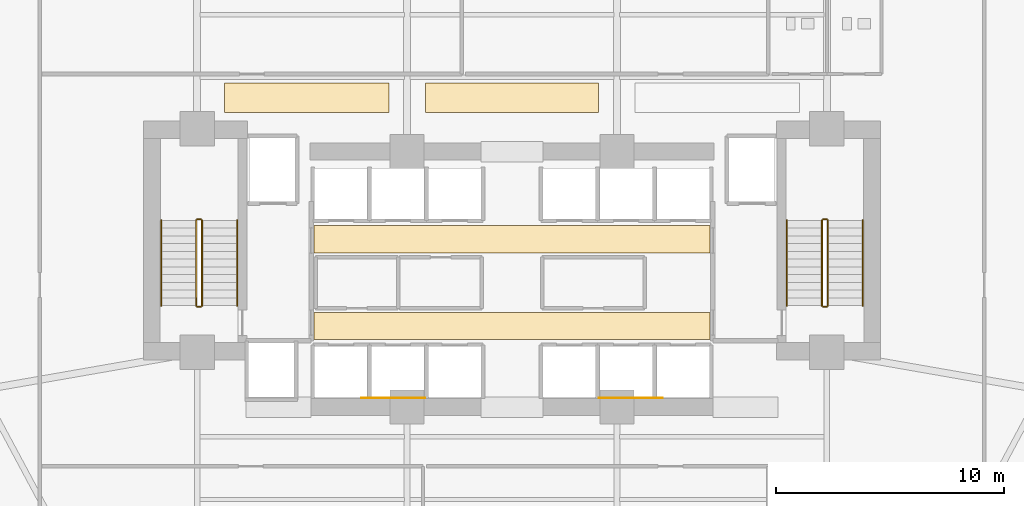
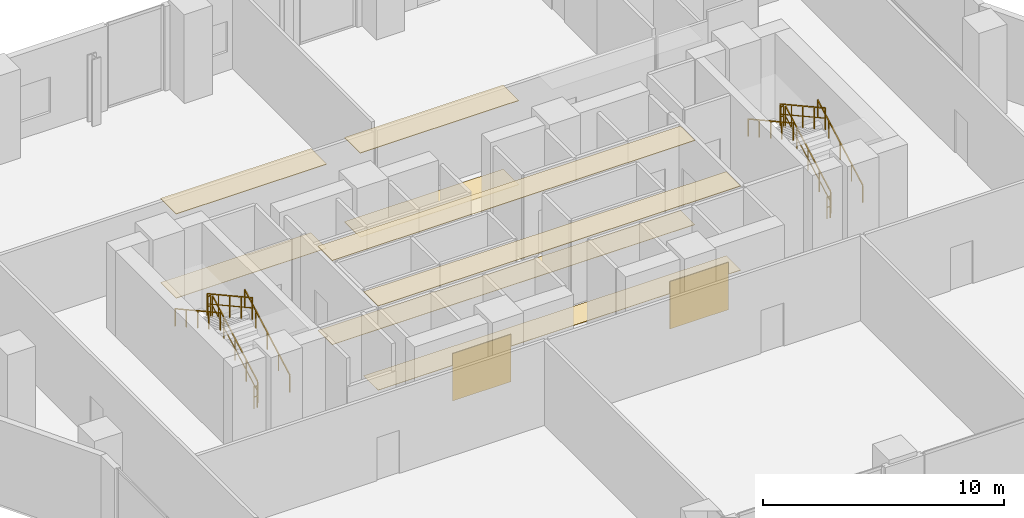
# One storey, part 31 of 33: 12 railings, 10 coverings.
"""IFC4 building model written with IfcOpenShell, lengths in metres."""

from ifc_helpers import new_model, si_unit, direction, frame, origin, origin_2d, place, context, subcontext, project, spatial, polyline, rectangle, outline, extrude, material, layer, layer_set, type_object, element, save


model = new_model("IFC4")

# Units and contexts
model_context = context("Model", 3, precision=1e-05, world=origin(), true_north=direction((0.0, 1.0)))
body_context = subcontext(model_context, "Body", "Model", "MODEL_VIEW")
ifc_project = project(units=[si_unit("LENGTHUNIT", "METRE"), si_unit("AREAUNIT", "SQUARE_METRE"), si_unit("VOLUMEUNIT", "CUBIC_METRE"), si_unit("PLANEANGLEUNIT", "RADIAN"), si_unit("MASSUNIT", "GRAM", prefix="KILO")], contexts=[model_context])

# Site, building, storey
site_placement = place(None, origin())
site = spatial("IfcSite", under=ifc_project, at=site_placement, CompositionType="ELEMENT")
building_placement = place(site_placement, origin())
building = spatial("IfcBuilding", under=site, at=building_placement, Name="Zuhayl Quay Hotel", CompositionType="ELEMENT")
storey_placement = place(building_placement, frame((0.0, 0.0, 154.050048828125)))
storey = spatial("IfcBuildingStorey", under=building, at=storey_placement, Name="L39", CompositionType="ELEMENT", Elevation=154.050048828125)

# Coverings
ifc_material_1 = material(Name="Acoustic Mineral-Fibre Gypsum Board")
ifc_layer_1 = layer(ifc_material_1, 0.02490234375, Name="Acoustic Mineral-Fibre Gypsum Board")
ifc_layer_set_1 = layer_set([ifc_layer_1], Name="Acoustic Mineral-Fibre Gypsum Board")
covering_type_1 = type_object("IfcCoveringType", Name="CV_CEIL_ACOUSTIC", PredefinedType="CEILING", material=ifc_layer_set_1)
covering_1_placement = place(storey_placement, frame((0.0, 0.0, 4.2548828125)))
element("IfcCovering", 1, at=covering_1_placement, inside=storey, type_object=covering_type_1, Name="L39 Suspended Acoustic Lobby Ceiling S", PredefinedType="CEILING", context=body_context, shape_type="SweptSolid", body=[
    extrude(outline(polyline([(-8.679931640625, 5.10009765625), (8.679931640625, 5.10009765625), (8.679931640625, 6.300048828125), (-8.679931640625, 6.300048828125), (-8.679931640625, 5.10009765625)])), origin(), (0.0, 0.0, 1.0), 0.025146484375),
])
covering_2_placement = place(storey_placement, frame((0.0, 0.0, 4.2548828125)))
element("IfcCovering", 2, at=covering_2_placement, inside=storey, type_object=covering_type_1, Name="L39 Suspended Acoustic Lobby Ceiling N", PredefinedType="CEILING", context=body_context, shape_type="SweptSolid", body=[
    extrude(outline(polyline([(-8.679931640625, 8.89990234375), (8.679931640625, 8.89990234375), (8.679931640625, 10.10009765625), (-8.679931640625, 10.10009765625), (-8.679931640625, 8.89990234375)])), origin(), (0.0, 0.0, 1.0), 0.025146484375),
])
covering_3_placement = place(storey_placement, frame((0.0, 0.0, 4.2548828125)))
element("IfcCovering", 3, at=covering_3_placement, inside=storey, type_object=covering_type_1, Name="L39 Guest Corridor Acoustic Ceiling CW", PredefinedType="CEILING", context=body_context, shape_type="SweptSolid", body=[
    extrude(outline(polyline([(-12.60009765625, 15.050048828125), (-5.39990234375, 15.050048828125), (-5.39990234375, 16.35009765625), (-12.60009765625, 16.35009765625), (-12.60009765625, 15.050048828125)])), origin(), (0.0, 0.0, 1.0), 0.025146484375),
])
covering_4_placement = place(storey_placement, frame((0.0, 0.0, 4.2548828125)))
element("IfcCovering", 4, at=covering_4_placement, inside=storey, type_object=covering_type_1, Name="L39 Guest Corridor Acoustic Ceiling CC", PredefinedType="CEILING", context=body_context, shape_type="SweptSolid", body=[
    extrude(outline(polyline([(-3.800048828125, 15.050048828125), (3.800048828125, 15.050048828125), (3.800048828125, 16.35009765625), (-3.800048828125, 16.35009765625), (-3.800048828125, 15.050048828125)])), origin(), (0.0, 0.0, 1.0), 0.025146484375),
])
ifc_material_2 = material(Name="Polished Limestone Terrazzo", Category="masonry")
ifc_layer_2 = layer(ifc_material_2, 0.02001953125, Name="Polished Limestone Terrazzo", Category="masonry")
ifc_layer_set_2 = layer_set([ifc_layer_2], Name="Polished Limestone Terrazzo")
covering_type_2 = type_object("IfcCoveringType", Name="CV_FLOOR_TERRAZZO", PredefinedType="FLOORING", material=ifc_layer_set_2)
covering_5_placement = place(storey_placement, origin())
element("IfcCovering", 5, at=covering_5_placement, inside=storey, type_object=covering_type_2, Name="L39 Honed Limestone Terrazzo Lobby Flooring S", PredefinedType="FLOORING", context=body_context, shape_type="SweptSolid", body=[
    extrude(outline(polyline([(-8.679931640625, 5.10009765625), (8.679931640625, 5.10009765625), (8.679931640625, 6.300048828125), (-8.679931640625, 6.300048828125), (-8.679931640625, 5.10009765625)])), origin(), (0.0, 0.0, 1.0), 0.02001953125),
])
covering_6_placement = place(storey_placement, origin())
element("IfcCovering", 6, at=covering_6_placement, inside=storey, type_object=covering_type_2, Name="L39 Honed Limestone Terrazzo Lobby Flooring N", PredefinedType="FLOORING", context=body_context, shape_type="SweptSolid", body=[
    extrude(outline(polyline([(-8.679931640625, 8.89990234375), (8.679931640625, 8.89990234375), (8.679931640625, 10.10009765625), (-8.679931640625, 10.10009765625), (-8.679931640625, 8.89990234375)])), origin(), (0.0, 0.0, 1.0), 0.02001953125),
])
covering_7_placement = place(storey_placement, origin())
element("IfcCovering", 7, at=covering_7_placement, inside=storey, type_object=covering_type_2, Name="L39 Guest Corridor Terrazzo Runner CW", PredefinedType="FLOORING", context=body_context, shape_type="SweptSolid", body=[
    extrude(outline(polyline([(-12.60009765625, 15.050048828125), (-5.39990234375, 15.050048828125), (-5.39990234375, 16.35009765625), (-12.60009765625, 16.35009765625), (-12.60009765625, 15.050048828125)])), origin(), (0.0, 0.0, 1.0), 0.02001953125),
])
covering_8_placement = place(storey_placement, origin())
element("IfcCovering", 8, at=covering_8_placement, inside=storey, type_object=covering_type_2, Name="L39 Guest Corridor Terrazzo Runner CC", PredefinedType="FLOORING", context=body_context, shape_type="SweptSolid", body=[
    extrude(outline(polyline([(-3.800048828125, 15.050048828125), (3.800048828125, 15.050048828125), (3.800048828125, 16.35009765625), (-3.800048828125, 16.35009765625), (-3.800048828125, 15.050048828125)])), origin(), (0.0, 0.0, 1.0), 0.02001953125),
])
ifc_material_3 = material(Name="Acoustic Walnut Feature Timber", Category="wood")
ifc_layer_3 = layer(ifc_material_3, 0.02197265625, Name="Acoustic Walnut Feature Timber", Category="wood")
ifc_layer_set_3 = layer_set([ifc_layer_3], Name="Acoustic Walnut Feature Timber")
covering_type_3 = type_object("IfcCoveringType", Name="CV_WALL_CLAD", PredefinedType="CLADDING", material=ifc_layer_set_3)
for number, where, z_axis, x_axis, name in (
    (9, (-5.199951171875, 2.535888671875, 0.300048828125), (0.0, 0.0, 1.0), (1.0, 0.0, 0.0), "L39 Feature Lobby Walnut Wall Cladding W"),
    (10, (5.199951171875, 2.535888671875, 0.300048828125), (0.0, 0.0, 1.0), (1.0, 0.0, 0.0), "L39 Feature Lobby Walnut Wall Cladding E"),
):
    element("IfcCovering", number, at=place(storey_placement, frame(where, z_axis=z_axis, x_axis=x_axis)), inside=storey, type_object=covering_type_3, Name=name, PredefinedType="CLADDING", context=body_context, shape_type="SweptSolid", body=[
        extrude(rectangle(XDim=2.800048828125, YDim=0.02197265625, at=origin_2d()), origin(), (0.0, 0.0, 1.0), 2.39990234375),
    ])

# Railings
ifc_material_4 = material(Name="Steel ASTM A992 Grade 50", Category="steel")
railing_type_1 = type_object("IfcRailingType", Name="RL_GUARD_1100", PredefinedType="GUARDRAIL", material=ifc_material_4)
railing_1_placement = place(storey_placement, frame((-13.590087890625, 6.590087890625, 0.1875)))
element("IfcRailing", 11, at=railing_1_placement, inside=storey, type_object=railing_type_1, Name="L39 ST1 stair guard 1", PredefinedType="GUARDRAIL", context=body_context, shape_type="SweptSolid", body=[
    extrude(rectangle(XDim=0.048095703125, YDim=0.048095703125, at=origin_2d()), frame((0.0, 0.0, 1.09619140625), z_axis=(0.0, 0.875671045107, 0.482908087281), x_axis=(-1.0, 0.0, 0.0)), (0.0, 0.0, 1.0), 4.27099609375),
    extrude(rectangle(XDim=0.0361328125, YDim=0.0361328125, at=origin_2d()), frame((0.0, 0.0, 0.58251953125), z_axis=(0.0, 0.875671045107, 0.482908087281), x_axis=(-1.0, 0.0, 0.0)), (0.0, 0.0, 1.0), 4.27099609375),
    extrude(rectangle(XDim=0.0419921875, YDim=0.0419921875, at=origin_2d()), origin(), (0.0, 0.0, 1.0), 1.072021484375),
    extrude(rectangle(XDim=0.0419921875, YDim=0.0419921875, at=origin_2d()), frame((0.0, 0.93505859375, 0.515625)), (0.0, 0.0, 1.0), 1.072021484375),
    extrude(rectangle(XDim=0.0419921875, YDim=0.0419921875, at=origin_2d()), frame((0.0, 1.8701171875, 1.03125)), (0.0, 0.0, 1.0), 1.072021484375),
    extrude(rectangle(XDim=0.0419921875, YDim=0.0419921875, at=origin_2d()), frame((0.0, 2.804931640625, 1.546875)), (0.0, 0.0, 1.0), 1.072021484375),
    extrude(rectangle(XDim=0.0419921875, YDim=0.0419921875, at=origin_2d()), frame((0.0, 3.739990234375, 2.0625)), (0.0, 0.0, 1.0), 1.072021484375),
])
railing_2_placement = place(storey_placement, frame((-13.639892578125, 10.3798828125, 2.25)))
element("IfcRailing", 12, at=railing_2_placement, inside=storey, type_object=railing_type_1, Name="L39 ST1 stair guard 2", PredefinedType="GUARDRAIL", context=body_context, shape_type="SweptSolid", body=[
    extrude(rectangle(XDim=0.048095703125, YDim=0.048095703125, at=origin_2d()), frame((0.0, 0.0, 1.09619140625), z_axis=(-1.0, 0.0, 0.0), x_axis=(0.0, -1.0, 0.0)), (0.0, 0.0, 1.0), 0.150146484375),
    extrude(rectangle(XDim=0.0361328125, YDim=0.0361328125, at=origin_2d()), frame((0.0, 0.0, 0.58251953125), z_axis=(-1.0, 0.0, 0.0), x_axis=(0.0, -1.0, 0.0)), (0.0, 0.0, 1.0), 0.150146484375),
    extrude(rectangle(XDim=0.0419921875, YDim=0.0419921875, at=origin_2d()), origin(), (0.0, 0.0, 1.0), 1.072021484375),
    extrude(rectangle(XDim=0.0419921875, YDim=0.0419921875, at=origin_2d()), frame((-0.150146484375, 0.0, 0.0)), (0.0, 0.0, 1.0), 1.072021484375),
])
railing_3_placement = place(storey_placement, frame((-13.840087890625, 10.330078125, 2.4375)))
element("IfcRailing", 13, at=railing_3_placement, inside=storey, type_object=railing_type_1, Name="L39 ST1 stair guard 3", PredefinedType="GUARDRAIL", context=body_context, shape_type="SweptSolid", body=[
    extrude(rectangle(XDim=0.048095703125, YDim=0.048095703125, at=origin_2d()), frame((0.0, 0.0, 1.09619140625), z_axis=(0.0, -0.875671045107, 0.482908087281), x_axis=(1.0, 0.0, 0.0)), (0.0, 0.0, 1.0), 4.27099609375),
    extrude(rectangle(XDim=0.0361328125, YDim=0.0361328125, at=origin_2d()), frame((0.0, 0.0, 0.58251953125), z_axis=(0.0, -0.875671045107, 0.482908087281), x_axis=(1.0, 0.0, 0.0)), (0.0, 0.0, 1.0), 4.27099609375),
    extrude(rectangle(XDim=0.0419921875, YDim=0.0419921875, at=origin_2d()), origin(), (0.0, 0.0, 1.0), 1.072021484375),
    extrude(rectangle(XDim=0.0419921875, YDim=0.0419921875, at=origin_2d()), frame((0.0, -0.93505859375, 0.515625)), (0.0, 0.0, 1.0), 1.072021484375),
    extrude(rectangle(XDim=0.0419921875, YDim=0.0419921875, at=origin_2d()), frame((0.0, -1.8701171875, 1.03125)), (0.0, 0.0, 1.0), 1.072021484375),
    extrude(rectangle(XDim=0.0419921875, YDim=0.0419921875, at=origin_2d()), frame((0.0, -2.804931640625, 1.546875)), (0.0, 0.0, 1.0), 1.072021484375),
    extrude(rectangle(XDim=0.0419921875, YDim=0.0419921875, at=origin_2d()), frame((0.0, -3.739990234375, 2.0625)), (0.0, 0.0, 1.0), 1.072021484375),
])
railing_4_placement = place(storey_placement, frame((-13.639892578125, 6.5400390625, 0.0)))
element("IfcRailing", 14, at=railing_4_placement, inside=storey, type_object=railing_type_1, Name="L39 ST1 stair guard 4", PredefinedType="GUARDRAIL", context=body_context, shape_type="SweptSolid", body=[
    extrude(rectangle(XDim=0.048095703125, YDim=0.048095703125, at=origin_2d()), frame((0.0, 0.0, 1.09619140625), z_axis=(-1.0, 0.0, 0.0), x_axis=(0.0, -1.0, 0.0)), (0.0, 0.0, 1.0), 0.150146484375),
    extrude(rectangle(XDim=0.0361328125, YDim=0.0361328125, at=origin_2d()), frame((0.0, 0.0, 0.58251953125), z_axis=(-1.0, 0.0, 0.0), x_axis=(0.0, -1.0, 0.0)), (0.0, 0.0, 1.0), 0.150146484375),
    extrude(rectangle(XDim=0.0419921875, YDim=0.0419921875, at=origin_2d()), origin(), (0.0, 0.0, 1.0), 1.072021484375),
    extrude(rectangle(XDim=0.0419921875, YDim=0.0419921875, at=origin_2d()), frame((-0.150146484375, 0.0, 0.0)), (0.0, 0.0, 1.0), 1.072021484375),
])
railing_5_placement = place(storey_placement, frame((13.840087890625, 6.590087890625, 0.1875)))
element("IfcRailing", 15, at=railing_5_placement, inside=storey, type_object=railing_type_1, Name="L39 ST2 stair guard 1", PredefinedType="GUARDRAIL", context=body_context, shape_type="SweptSolid", body=[
    extrude(rectangle(XDim=0.048095703125, YDim=0.048095703125, at=origin_2d()), frame((0.0, 0.0, 1.09619140625), z_axis=(0.0, 0.875671045107, 0.482908087281), x_axis=(-1.0, 0.0, 0.0)), (0.0, 0.0, 1.0), 4.27099609375),
    extrude(rectangle(XDim=0.0361328125, YDim=0.0361328125, at=origin_2d()), frame((0.0, 0.0, 0.58251953125), z_axis=(0.0, 0.875671045107, 0.482908087281), x_axis=(-1.0, 0.0, 0.0)), (0.0, 0.0, 1.0), 4.27099609375),
    extrude(rectangle(XDim=0.0419921875, YDim=0.0419921875, at=origin_2d()), origin(), (0.0, 0.0, 1.0), 1.072021484375),
    extrude(rectangle(XDim=0.0419921875, YDim=0.0419921875, at=origin_2d()), frame((0.0, 0.93505859375, 0.515625)), (0.0, 0.0, 1.0), 1.072021484375),
    extrude(rectangle(XDim=0.0419921875, YDim=0.0419921875, at=origin_2d()), frame((0.0, 1.8701171875, 1.03125)), (0.0, 0.0, 1.0), 1.072021484375),
    extrude(rectangle(XDim=0.0419921875, YDim=0.0419921875, at=origin_2d()), frame((0.0, 2.804931640625, 1.546875)), (0.0, 0.0, 1.0), 1.072021484375),
    extrude(rectangle(XDim=0.0419921875, YDim=0.0419921875, at=origin_2d()), frame((0.0, 3.739990234375, 2.0625)), (0.0, 0.0, 1.0), 1.072021484375),
])
railing_6_placement = place(storey_placement, frame((13.7900390625, 10.3798828125, 2.25)))
element("IfcRailing", 16, at=railing_6_placement, inside=storey, type_object=railing_type_1, Name="L39 ST2 stair guard 2", PredefinedType="GUARDRAIL", context=body_context, shape_type="SweptSolid", body=[
    extrude(rectangle(XDim=0.048095703125, YDim=0.048095703125, at=origin_2d()), frame((0.0, 0.0, 1.09619140625), z_axis=(-1.0, 0.0, 0.0), x_axis=(0.0, -1.0, 0.0)), (0.0, 0.0, 1.0), 0.150146484375),
    extrude(rectangle(XDim=0.0361328125, YDim=0.0361328125, at=origin_2d()), frame((0.0, 0.0, 0.58251953125), z_axis=(-1.0, 0.0, 0.0), x_axis=(0.0, -1.0, 0.0)), (0.0, 0.0, 1.0), 0.150146484375),
    extrude(rectangle(XDim=0.0419921875, YDim=0.0419921875, at=origin_2d()), origin(), (0.0, 0.0, 1.0), 1.072021484375),
    extrude(rectangle(XDim=0.0419921875, YDim=0.0419921875, at=origin_2d()), frame((-0.150146484375, 0.0, 0.0)), (0.0, 0.0, 1.0), 1.072021484375),
])
railing_7_placement = place(storey_placement, frame((13.590087890625, 10.330078125, 2.4375)))
element("IfcRailing", 17, at=railing_7_placement, inside=storey, type_object=railing_type_1, Name="L39 ST2 stair guard 3", PredefinedType="GUARDRAIL", context=body_context, shape_type="SweptSolid", body=[
    extrude(rectangle(XDim=0.048095703125, YDim=0.048095703125, at=origin_2d()), frame((0.0, 0.0, 1.09619140625), z_axis=(0.0, -0.875671045107, 0.482908087281), x_axis=(1.0, 0.0, 0.0)), (0.0, 0.0, 1.0), 4.27099609375),
    extrude(rectangle(XDim=0.0361328125, YDim=0.0361328125, at=origin_2d()), frame((0.0, 0.0, 0.58251953125), z_axis=(0.0, -0.875671045107, 0.482908087281), x_axis=(1.0, 0.0, 0.0)), (0.0, 0.0, 1.0), 4.27099609375),
    extrude(rectangle(XDim=0.0419921875, YDim=0.0419921875, at=origin_2d()), origin(), (0.0, 0.0, 1.0), 1.072021484375),
    extrude(rectangle(XDim=0.0419921875, YDim=0.0419921875, at=origin_2d()), frame((0.0, -0.93505859375, 0.515625)), (0.0, 0.0, 1.0), 1.072021484375),
    extrude(rectangle(XDim=0.0419921875, YDim=0.0419921875, at=origin_2d()), frame((0.0, -1.8701171875, 1.03125)), (0.0, 0.0, 1.0), 1.072021484375),
    extrude(rectangle(XDim=0.0419921875, YDim=0.0419921875, at=origin_2d()), frame((0.0, -2.804931640625, 1.546875)), (0.0, 0.0, 1.0), 1.072021484375),
    extrude(rectangle(XDim=0.0419921875, YDim=0.0419921875, at=origin_2d()), frame((0.0, -3.739990234375, 2.0625)), (0.0, 0.0, 1.0), 1.072021484375),
])
railing_8_placement = place(storey_placement, frame((13.7900390625, 6.5400390625, 0.0)))
element("IfcRailing", 18, at=railing_8_placement, inside=storey, type_object=railing_type_1, Name="L39 ST2 stair guard 4", PredefinedType="GUARDRAIL", context=body_context, shape_type="SweptSolid", body=[
    extrude(rectangle(XDim=0.048095703125, YDim=0.048095703125, at=origin_2d()), frame((0.0, 0.0, 1.09619140625), z_axis=(-1.0, 0.0, 0.0), x_axis=(0.0, -1.0, 0.0)), (0.0, 0.0, 1.0), 0.150146484375),
    extrude(rectangle(XDim=0.0361328125, YDim=0.0361328125, at=origin_2d()), frame((0.0, 0.0, 0.58251953125), z_axis=(-1.0, 0.0, 0.0), x_axis=(0.0, -1.0, 0.0)), (0.0, 0.0, 1.0), 0.150146484375),
    extrude(rectangle(XDim=0.0419921875, YDim=0.0419921875, at=origin_2d()), origin(), (0.0, 0.0, 1.0), 1.072021484375),
    extrude(rectangle(XDim=0.0419921875, YDim=0.0419921875, at=origin_2d()), frame((-0.150146484375, 0.0, 0.0)), (0.0, 0.0, 1.0), 1.072021484375),
])
railing_type_2 = type_object("IfcRailingType", Name="RL_HANDRAIL_920", PredefinedType="HANDRAIL", material=ifc_material_4)
railing_9_placement = place(storey_placement, frame((-12.050048828125, 6.590087890625, 0.1875)))
element("IfcRailing", 19, at=railing_9_placement, inside=storey, type_object=railing_type_2, Name="L39 ST1 stair handrail 1", PredefinedType="HANDRAIL", context=body_context, shape_type="SweptSolid", body=[
    extrude(rectangle(XDim=0.048095703125, YDim=0.048095703125, at=origin_2d()), frame((0.0, 0.0, 0.8759765625), z_axis=(0.0, 0.875671045107, 0.482908087281), x_axis=(-1.0, 0.0, 0.0)), (0.0, 0.0, 1.0), 4.27099609375),
    extrude(rectangle(XDim=0.0419921875, YDim=0.0419921875, at=origin_2d()), origin(), (0.0, 0.0, 1.0), 0.851806640625),
    extrude(rectangle(XDim=0.0419921875, YDim=0.0419921875, at=origin_2d()), frame((0.0, 0.93505859375, 0.515625)), (0.0, 0.0, 1.0), 0.851806640625),
    extrude(rectangle(XDim=0.0419921875, YDim=0.0419921875, at=origin_2d()), frame((0.0, 1.8701171875, 1.03125)), (0.0, 0.0, 1.0), 0.851806640625),
    extrude(rectangle(XDim=0.0419921875, YDim=0.0419921875, at=origin_2d()), frame((0.0, 2.804931640625, 1.546875)), (0.0, 0.0, 1.0), 0.851806640625),
    extrude(rectangle(XDim=0.0419921875, YDim=0.0419921875, at=origin_2d()), frame((0.0, 3.739990234375, 2.0625)), (0.0, 0.0, 1.0), 0.851806640625),
])
railing_10_placement = place(storey_placement, frame((-15.3798828125, 10.330078125, 2.4375)))
element("IfcRailing", 20, at=railing_10_placement, inside=storey, type_object=railing_type_2, Name="L39 ST1 stair handrail 2", PredefinedType="HANDRAIL", context=body_context, shape_type="SweptSolid", body=[
    extrude(rectangle(XDim=0.048095703125, YDim=0.048095703125, at=origin_2d()), frame((0.0, 0.0, 0.8759765625), z_axis=(0.0, -0.875671045107, 0.482908087281), x_axis=(1.0, 0.0, 0.0)), (0.0, 0.0, 1.0), 4.27099609375),
    extrude(rectangle(XDim=0.0419921875, YDim=0.0419921875, at=origin_2d()), origin(), (0.0, 0.0, 1.0), 0.851806640625),
    extrude(rectangle(XDim=0.0419921875, YDim=0.0419921875, at=origin_2d()), frame((0.0, -0.93505859375, 0.515625)), (0.0, 0.0, 1.0), 0.851806640625),
    extrude(rectangle(XDim=0.0419921875, YDim=0.0419921875, at=origin_2d()), frame((0.0, -1.8701171875, 1.03125)), (0.0, 0.0, 1.0), 0.851806640625),
    extrude(rectangle(XDim=0.0419921875, YDim=0.0419921875, at=origin_2d()), frame((0.0, -2.804931640625, 1.546875)), (0.0, 0.0, 1.0), 0.851806640625),
    extrude(rectangle(XDim=0.0419921875, YDim=0.0419921875, at=origin_2d()), frame((0.0, -3.739990234375, 2.0625)), (0.0, 0.0, 1.0), 0.851806640625),
])
railing_11_placement = place(storey_placement, frame((15.3798828125, 6.590087890625, 0.1875)))
element("IfcRailing", 21, at=railing_11_placement, inside=storey, type_object=railing_type_2, Name="L39 ST2 stair handrail 1", PredefinedType="HANDRAIL", context=body_context, shape_type="SweptSolid", body=[
    extrude(rectangle(XDim=0.048095703125, YDim=0.048095703125, at=origin_2d()), frame((0.0, 0.0, 0.8759765625), z_axis=(0.0, 0.875671045107, 0.482908087281), x_axis=(-1.0, 0.0, 0.0)), (0.0, 0.0, 1.0), 4.27099609375),
    extrude(rectangle(XDim=0.0419921875, YDim=0.0419921875, at=origin_2d()), origin(), (0.0, 0.0, 1.0), 0.851806640625),
    extrude(rectangle(XDim=0.0419921875, YDim=0.0419921875, at=origin_2d()), frame((0.0, 0.93505859375, 0.515625)), (0.0, 0.0, 1.0), 0.851806640625),
    extrude(rectangle(XDim=0.0419921875, YDim=0.0419921875, at=origin_2d()), frame((0.0, 1.8701171875, 1.03125)), (0.0, 0.0, 1.0), 0.851806640625),
    extrude(rectangle(XDim=0.0419921875, YDim=0.0419921875, at=origin_2d()), frame((0.0, 2.804931640625, 1.546875)), (0.0, 0.0, 1.0), 0.851806640625),
    extrude(rectangle(XDim=0.0419921875, YDim=0.0419921875, at=origin_2d()), frame((0.0, 3.739990234375, 2.0625)), (0.0, 0.0, 1.0), 0.851806640625),
])
railing_12_placement = place(storey_placement, frame((12.050048828125, 10.330078125, 2.4375)))
element("IfcRailing", 22, at=railing_12_placement, inside=storey, type_object=railing_type_2, Name="L39 ST2 stair handrail 2", PredefinedType="HANDRAIL", context=body_context, shape_type="SweptSolid", body=[
    extrude(rectangle(XDim=0.048095703125, YDim=0.048095703125, at=origin_2d()), frame((0.0, 0.0, 0.8759765625), z_axis=(0.0, -0.875671045107, 0.482908087281), x_axis=(1.0, 0.0, 0.0)), (0.0, 0.0, 1.0), 4.27099609375),
    extrude(rectangle(XDim=0.0419921875, YDim=0.0419921875, at=origin_2d()), origin(), (0.0, 0.0, 1.0), 0.851806640625),
    extrude(rectangle(XDim=0.0419921875, YDim=0.0419921875, at=origin_2d()), frame((0.0, -0.93505859375, 0.515625)), (0.0, 0.0, 1.0), 0.851806640625),
    extrude(rectangle(XDim=0.0419921875, YDim=0.0419921875, at=origin_2d()), frame((0.0, -1.8701171875, 1.03125)), (0.0, 0.0, 1.0), 0.851806640625),
    extrude(rectangle(XDim=0.0419921875, YDim=0.0419921875, at=origin_2d()), frame((0.0, -2.804931640625, 1.546875)), (0.0, 0.0, 1.0), 0.851806640625),
    extrude(rectangle(XDim=0.0419921875, YDim=0.0419921875, at=origin_2d()), frame((0.0, -3.739990234375, 2.0625)), (0.0, 0.0, 1.0), 0.851806640625),
])

save(model, "model.ifc")
